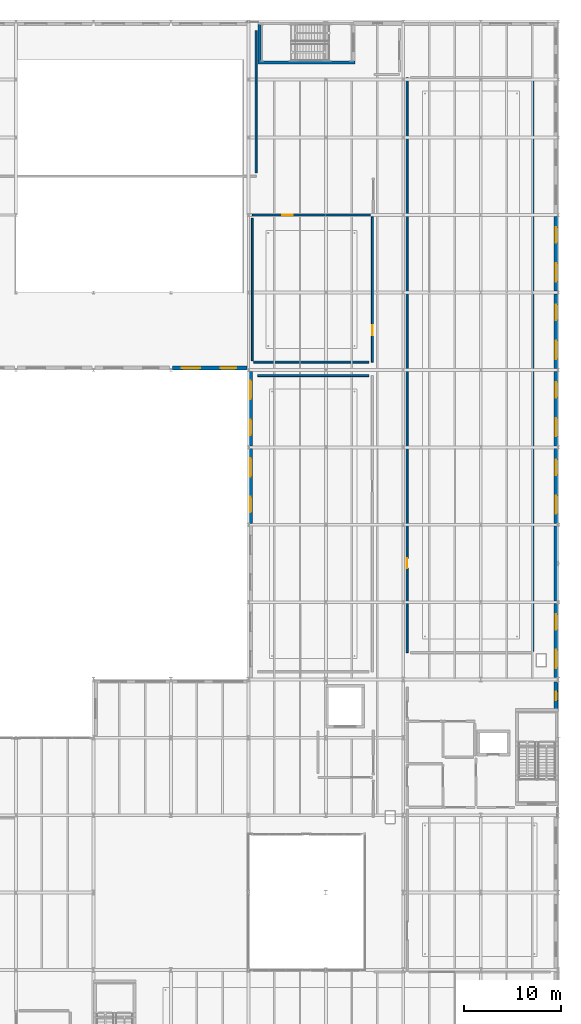
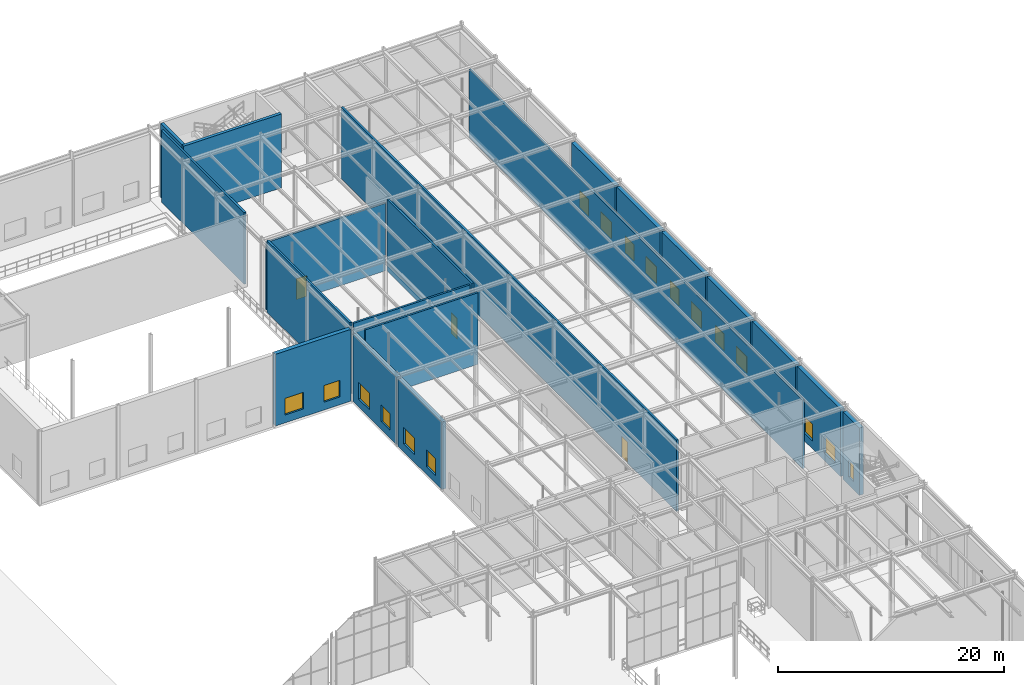
# One storey, part 98 of 138: 20 walls, 17 windows, 3 doors, 20 openings.
"""IFC4 building model written with IfcOpenShell, lengths in metres."""

from ifc_helpers import new_model, si_unit, direction, frame, frame_2d, origin, place, context, subcontext, project, spatial, rectangle, extrude, material, layer, layer_set, type_object, element, fill, save


model = new_model("IFC4")

# Units and contexts
model_context = context("Model", 3, precision=1e-05, world=origin(), true_north=direction((0.0, 1.0)))
body_context = subcontext(model_context, "Body", "Model", "MODEL_VIEW")
ifc_project = project(units=[si_unit("LENGTHUNIT", "METRE"), si_unit("AREAUNIT", "SQUARE_METRE"), si_unit("VOLUMEUNIT", "CUBIC_METRE"), si_unit("PLANEANGLEUNIT", "RADIAN"), si_unit("MASSUNIT", "GRAM", prefix="KILO")], contexts=[model_context])

# Site, building, storey
site_placement = place(None, origin())
site = spatial("IfcSite", under=ifc_project, at=site_placement, CompositionType="ELEMENT")
building_placement = place(site_placement, origin())
building = spatial("IfcBuilding", under=site, at=building_placement, Name="Sundkrona Museum", CompositionType="ELEMENT")
storey_placement = place(building_placement, frame((0.0, 0.0, 9.60009765625)))
storey = spatial("IfcBuildingStorey", under=building, at=storey_placement, Name="L02", CompositionType="ELEMENT", Elevation=9.60009765625)

# Walls
ifc_material_1 = material(Name="Concrete C40/50", Category="concrete")
ifc_layer_1 = layer(ifc_material_1, 0.300048828125)
ifc_layer_set_1 = layer_set([ifc_layer_1], Name="Concrete C40/50")
wall_type_1 = type_object("IfcWallType", Name="W-CORE-300", PredefinedType="SHEAR", material=ifc_layer_set_1)
wall_1_placement = place(storey_placement, frame((137.0, 109.75, 0.0), z_axis=(0.0, 0.0, 1.0), x_axis=(1.0, 0.0, 0.0)))
element("IfcWall", 1, at=wall_1_placement, inside=storey, type_object=wall_type_1, Name="L02 ST-5 Core Shear Wall South", PredefinedType="SHEAR", context=body_context, shape_type="SweptSolid", body=[
    extrude(rectangle(XDim=10.0, YDim=0.300048828125, at=frame_2d((5.0, 0.0))), origin(), (0.0, 0.0, 1.0), 8.0),
])
wall_2_placement = place(storey_placement, frame((137.14990234375, 109.909912109375, 0.0), z_axis=(0.0, 0.0, 1.0), x_axis=(0.0, 1.0, 0.0)))
element("IfcWall", 2, at=wall_2_placement, inside=storey, type_object=wall_type_1, Name="L02 ST-5 Core Shear Wall West", PredefinedType="SHEAR", context=body_context, shape_type="SweptSolid", body=[
    extrude(rectangle(XDim=3.780029296875, YDim=0.300048828125, at=frame_2d((1.89013671875, 0.0))), origin(), (0.0, 0.0, 1.0), 8.0),
])

# Wall, opening, window
ifc_material_2 = material(Name="Scanian Polychrome Clay Brickwork 420 mm", Category="masonry")
ifc_layer_2 = layer(ifc_material_2, 0.419921875)
ifc_layer_set_2 = layer_set([ifc_layer_2], Name="Scanian Polychrome Clay Brickwork 420 mm")
wall_type_2 = type_object("IfcWallType", Name="W-EX-420", PredefinedType="SOLIDWALL", material=ifc_layer_set_2)
wall_3_placement = place(storey_placement, frame((167.7900390625, 45.77294921875, 0.0), z_axis=(0.0, 0.0, 1.0), x_axis=(0.0, -1.0, 0.0)))
wall_3 = element("IfcWall", 3, at=wall_3_placement, inside=storey, type_object=wall_type_2, Name="L02 Facade Wall 0034", PredefinedType="SOLIDWALL", context=body_context, shape_type="SweptSolid", body=[
    extrude(rectangle(XDim=2.912841796875, YDim=0.419921875, at=frame_2d((1.45654296875, 0.0))), origin(), (0.0, 0.0, 1.0), 7.284912109375),
])
opening_1_placement = place(wall_3_placement, frame((1.006591796875, 0.0, 0.85009765625)))
opening_1 = element("IfcOpeningElement", 4, at=opening_1_placement, cuts=wall_3, Name="Opening WN-ST-090x180", PredefinedType="OPENING", context=body_context, shape_type="SweptSolid", body=[
    extrude(rectangle(XDim=0.89990234375, YDim=1.800048828125, at=frame_2d((0.449951171875, 0.89990234375))), frame((0.0, 0.219970703125, 0.0), z_axis=(0.0, -1.0, 0.0), x_axis=(1.0, 0.0, 0.0)), (0.0, 0.0, 1.0), 0.43994140625),
])
ifc_material_3 = material(Name="Triple Low-E Argon Glazing in Bronze-Anodised Aluminium", Category="aluminium")
window_type_1 = type_object("IfcWindowType", Name="WN-ST-090x180", PartitioningType="SINGLE_PANEL", PredefinedType="WINDOW", material=ifc_material_3)
window_1_placement = place(opening_1_placement, origin())
window_1 = element("IfcWindow", 5, at=window_1_placement, inside=storey, type_object=window_type_1, Name="L02 Stair-core avenue daylight slot window 900x1800 WIN-L02-0043", OverallHeight=1.800048828125, OverallWidth=0.89990234375, PartitioningType="SINGLE_PANEL", PredefinedType="WINDOW", context=body_context, shape_type="SweptSolid", body=[
    extrude(rectangle(XDim=0.89990234375, YDim=1.800048828125, at=frame_2d((0.449951171875, 0.89990234375))), frame((0.0, 0.030029296875, 0.0), z_axis=(0.0, -1.0, 0.0), x_axis=(1.0, 0.0, 0.0)), (0.0, 0.0, 1.0), 0.06005859375),
])
fill(opening_1, window_1)

# Wall, openings, windows
wall_4_placement = place(storey_placement, frame((135.85791015625, 78.2099609375, 0.0), z_axis=(0.0, 0.0, 1.0), x_axis=(-1.0, 0.0, 0.0)))
wall_4 = element("IfcWall", 6, at=wall_4_placement, inside=storey, type_object=wall_type_2, Name="L02 Facade Wall 0299", PredefinedType="SOLIDWALL", context=body_context, shape_type="SweptSolid", body=[
    extrude(rectangle(XDim=7.7158203125, YDim=0.419921875, at=frame_2d((3.85791015625, 0.0))), origin(), (0.0, 0.0, 1.0), 7.760009765625),
])
opening_2_placement = place(wall_4_placement, frame((1.12890625, 0.0, 0.85009765625)))
opening_2 = element("IfcOpeningElement", 7, at=opening_2_placement, cuts=wall_4, Name="Opening WN-LB-160x180", PredefinedType="OPENING", context=body_context, shape_type="SweptSolid", body=[
    extrude(rectangle(XDim=1.60009765625, YDim=1.800048828125, at=frame_2d((0.800048828125, 0.89990234375))), frame((0.0, 0.219970703125, 0.0), z_axis=(0.0, -1.0, 0.0), x_axis=(1.0, 0.0, 0.0)), (0.0, 0.0, 1.0), 0.43994140625),
])
opening_3_placement = place(wall_4_placement, frame((4.8369140625, 0.0, 0.85009765625)))
opening_3 = element("IfcOpeningElement", 8, at=opening_3_placement, cuts=wall_4, Name="Opening WN-LB-190x180", PredefinedType="OPENING", context=body_context, shape_type="SweptSolid", body=[
    extrude(rectangle(XDim=1.89990234375, YDim=1.800048828125, at=frame_2d((0.949951171875, 0.89990234375))), frame((0.0, 0.219970703125, 0.0), z_axis=(0.0, -1.0, 0.0), x_axis=(1.0, 0.0, 0.0)), (0.0, 0.0, 1.0), 0.43994140625),
])
window_type_2 = type_object("IfcWindowType", Name="WN-LB-160x180", PartitioningType="DOUBLE_PANEL_VERTICAL", PredefinedType="WINDOW", material=ifc_material_3)
window_2_placement = place(opening_2_placement, origin())
window_2 = element("IfcWindow", 9, at=window_2_placement, inside=storey, type_object=window_type_2, Name="L02 Conservation laboratory deep-reveal window 1600x1800 WIN-L02-0407", OverallHeight=1.800048828125, OverallWidth=1.60009765625, PartitioningType="DOUBLE_PANEL_VERTICAL", PredefinedType="WINDOW", context=body_context, shape_type="SweptSolid", body=[
    extrude(rectangle(XDim=1.60009765625, YDim=1.800048828125, at=frame_2d((0.800048828125, 0.89990234375))), frame((0.0, 0.030029296875, 0.0), z_axis=(0.0, -1.0, 0.0), x_axis=(1.0, 0.0, 0.0)), (0.0, 0.0, 1.0), 0.06005859375),
])
fill(opening_2, window_2)
window_type_3 = type_object("IfcWindowType", Name="WN-LB-190x180", PartitioningType="DOUBLE_PANEL_VERTICAL", PredefinedType="WINDOW", material=ifc_material_3)
window_3_placement = place(opening_3_placement, origin())
window_3 = element("IfcWindow", 10, at=window_3_placement, inside=storey, type_object=window_type_3, Name="L02 Analytical studio bench-height window 1900x1800 WIN-L02-0408", OverallHeight=1.800048828125, OverallWidth=1.89990234375, PartitioningType="DOUBLE_PANEL_VERTICAL", PredefinedType="WINDOW", context=body_context, shape_type="SweptSolid", body=[
    extrude(rectangle(XDim=1.89990234375, YDim=1.800048828125, at=frame_2d((0.949951171875, 0.89990234375))), frame((0.0, 0.030029296875, 0.0), z_axis=(0.0, -1.0, 0.0), x_axis=(1.0, 0.0, 0.0)), (0.0, 0.0, 1.0), 0.06005859375),
])
fill(opening_3, window_3)

wall_5_placement = place(storey_placement, frame((136.2099609375, 62.14208984375, 0.0), z_axis=(0.0, 0.0, 1.0), x_axis=(0.0, 1.0, 0.0)))
wall_5 = element("IfcWall", 11, at=wall_5_placement, inside=storey, type_object=wall_type_2, Name="L02 Facade Wall 0302", PredefinedType="SOLIDWALL", context=body_context, shape_type="SweptSolid", body=[
    extrude(rectangle(XDim=7.7158203125, YDim=0.419921875, at=frame_2d((3.85791015625, 0.0))), origin(), (0.0, 0.0, 1.0), 7.284912109375),
])
opening_4_placement = place(wall_5_placement, frame((1.12890625, 0.0, 0.85009765625)))
opening_4 = element("IfcOpeningElement", 12, at=opening_4_placement, cuts=wall_5, Name="Opening WN-LB-160x180", PredefinedType="OPENING", context=body_context, shape_type="SweptSolid", body=[
    extrude(rectangle(XDim=1.60009765625, YDim=1.800048828125, at=frame_2d((0.800048828125, 0.89990234375))), frame((0.0, 0.219970703125, 0.0), z_axis=(0.0, -1.0, 0.0), x_axis=(1.0, 0.0, 0.0)), (0.0, 0.0, 1.0), 0.43994140625),
])
opening_5_placement = place(wall_5_placement, frame((4.8369140625, 0.0, 0.85009765625)))
opening_5 = element("IfcOpeningElement", 13, at=opening_5_placement, cuts=wall_5, Name="Opening WN-LB-190x180", PredefinedType="OPENING", context=body_context, shape_type="SweptSolid", body=[
    extrude(rectangle(XDim=1.89990234375, YDim=1.800048828125, at=frame_2d((0.949951171875, 0.89990234375))), frame((0.0, 0.219970703125, 0.0), z_axis=(0.0, -1.0, 0.0), x_axis=(1.0, 0.0, 0.0)), (0.0, 0.0, 1.0), 0.43994140625),
])
window_4_placement = place(opening_4_placement, origin())
window_4 = element("IfcWindow", 14, at=window_4_placement, inside=storey, type_object=window_type_2, Name="L02 Conservation laboratory deep-reveal window 1600x1800 WIN-L02-0413", OverallHeight=1.800048828125, OverallWidth=1.60009765625, PartitioningType="DOUBLE_PANEL_VERTICAL", PredefinedType="WINDOW", context=body_context, shape_type="SweptSolid", body=[
    extrude(rectangle(XDim=1.60009765625, YDim=1.800048828125, at=frame_2d((0.800048828125, 0.89990234375))), frame((0.0, 0.030029296875, 0.0), z_axis=(0.0, -1.0, 0.0), x_axis=(1.0, 0.0, 0.0)), (0.0, 0.0, 1.0), 0.06005859375),
])
fill(opening_4, window_4)
window_5_placement = place(opening_5_placement, origin())
window_5 = element("IfcWindow", 15, at=window_5_placement, inside=storey, type_object=window_type_3, Name="L02 Analytical studio bench-height window 1900x1800 WIN-L02-0414", OverallHeight=1.800048828125, OverallWidth=1.89990234375, PartitioningType="DOUBLE_PANEL_VERTICAL", PredefinedType="WINDOW", context=body_context, shape_type="SweptSolid", body=[
    extrude(rectangle(XDim=1.89990234375, YDim=1.800048828125, at=frame_2d((0.949951171875, 0.89990234375))), frame((0.0, 0.030029296875, 0.0), z_axis=(0.0, -1.0, 0.0), x_axis=(1.0, 0.0, 0.0)), (0.0, 0.0, 1.0), 0.06005859375),
])
fill(opening_5, window_5)

wall_6_placement = place(storey_placement, frame((136.2099609375, 70.14208984375, 0.0), z_axis=(0.0, 0.0, 1.0), x_axis=(0.0, 1.0, 0.0)))
wall_6 = element("IfcWall", 16, at=wall_6_placement, inside=storey, type_object=wall_type_2, Name="L02 Facade Wall 0303", PredefinedType="SOLIDWALL", context=body_context, shape_type="SweptSolid", body=[
    extrude(rectangle(XDim=7.7158203125, YDim=0.419921875, at=frame_2d((3.85791015625, 0.0))), origin(), (0.0, 0.0, 1.0), 7.284912109375),
])
opening_6_placement = place(wall_6_placement, frame((1.12890625, 0.0, 0.85009765625)))
opening_6 = element("IfcOpeningElement", 17, at=opening_6_placement, cuts=wall_6, Name="Opening WN-LB-160x180", PredefinedType="OPENING", context=body_context, shape_type="SweptSolid", body=[
    extrude(rectangle(XDim=1.60009765625, YDim=1.800048828125, at=frame_2d((0.800048828125, 0.89990234375))), frame((0.0, 0.219970703125, 0.0), z_axis=(0.0, -1.0, 0.0), x_axis=(1.0, 0.0, 0.0)), (0.0, 0.0, 1.0), 0.43994140625),
])
opening_7_placement = place(wall_6_placement, frame((4.8369140625, 0.0, 0.85009765625)))
opening_7 = element("IfcOpeningElement", 18, at=opening_7_placement, cuts=wall_6, Name="Opening WN-LB-190x180", PredefinedType="OPENING", context=body_context, shape_type="SweptSolid", body=[
    extrude(rectangle(XDim=1.89990234375, YDim=1.800048828125, at=frame_2d((0.949951171875, 0.89990234375))), frame((0.0, 0.219970703125, 0.0), z_axis=(0.0, -1.0, 0.0), x_axis=(1.0, 0.0, 0.0)), (0.0, 0.0, 1.0), 0.43994140625),
])
window_6_placement = place(opening_6_placement, origin())
window_6 = element("IfcWindow", 19, at=window_6_placement, inside=storey, type_object=window_type_2, Name="L02 Conservation laboratory deep-reveal window 1600x1800 WIN-L02-0415", OverallHeight=1.800048828125, OverallWidth=1.60009765625, PartitioningType="DOUBLE_PANEL_VERTICAL", PredefinedType="WINDOW", context=body_context, shape_type="SweptSolid", body=[
    extrude(rectangle(XDim=1.60009765625, YDim=1.800048828125, at=frame_2d((0.800048828125, 0.89990234375))), frame((0.0, 0.030029296875, 0.0), z_axis=(0.0, -1.0, 0.0), x_axis=(1.0, 0.0, 0.0)), (0.0, 0.0, 1.0), 0.06005859375),
])
fill(opening_6, window_6)
window_7_placement = place(opening_7_placement, origin())
window_7 = element("IfcWindow", 20, at=window_7_placement, inside=storey, type_object=window_type_3, Name="L02 Analytical studio bench-height window 1900x1800 WIN-L02-0416", OverallHeight=1.800048828125, OverallWidth=1.89990234375, PartitioningType="DOUBLE_PANEL_VERTICAL", PredefinedType="WINDOW", context=body_context, shape_type="SweptSolid", body=[
    extrude(rectangle(XDim=1.89990234375, YDim=1.800048828125, at=frame_2d((0.949951171875, 0.89990234375))), frame((0.0, 0.030029296875, 0.0), z_axis=(0.0, -1.0, 0.0), x_axis=(1.0, 0.0, 0.0)), (0.0, 0.0, 1.0), 0.06005859375),
])
fill(opening_7, window_7)

wall_7_placement = place(storey_placement, frame((167.7900390625, 53.85791015625, 0.0), z_axis=(0.0, 0.0, 1.0), x_axis=(0.0, -1.0, 0.0)))
wall_7 = element("IfcWall", 21, at=wall_7_placement, inside=storey, type_object=wall_type_2, Name="L02 Facade Wall 0347", PredefinedType="SOLIDWALL", context=body_context, shape_type="SweptSolid", body=[
    extrude(rectangle(XDim=7.630859375, YDim=0.419921875, at=frame_2d((3.8154296875, 0.0))), origin(), (0.0, 0.0, 1.0), 7.284912109375),
])
opening_8_placement = place(wall_7_placement, frame((1.10791015625, 0.0, 0.85009765625)))
opening_8 = element("IfcOpeningElement", 22, at=opening_8_placement, cuts=wall_7, Name="Opening WN-LB-160x180", PredefinedType="OPENING", context=body_context, shape_type="SweptSolid", body=[
    extrude(rectangle(XDim=1.60009765625, YDim=1.800048828125, at=frame_2d((0.800048828125, 0.89990234375))), frame((0.0, 0.219970703125, 0.0), z_axis=(0.0, -1.0, 0.0), x_axis=(1.0, 0.0, 0.0)), (0.0, 0.0, 1.0), 0.43994140625),
])
opening_9_placement = place(wall_7_placement, frame((4.773193359375, 0.0, 0.85009765625)))
opening_9 = element("IfcOpeningElement", 23, at=opening_9_placement, cuts=wall_7, Name="Opening WN-LB-190x180", PredefinedType="OPENING", context=body_context, shape_type="SweptSolid", body=[
    extrude(rectangle(XDim=1.89990234375, YDim=1.800048828125, at=frame_2d((0.949951171875, 0.89990234375))), frame((0.0, 0.219970703125, 0.0), z_axis=(0.0, -1.0, 0.0), x_axis=(1.0, 0.0, 0.0)), (0.0, 0.0, 1.0), 0.43994140625),
])
window_8_placement = place(opening_8_placement, origin())
window_8 = element("IfcWindow", 24, at=window_8_placement, inside=storey, type_object=window_type_2, Name="L02 Conservation laboratory deep-reveal window 1600x1800 WIN-L02-0442", OverallHeight=1.800048828125, OverallWidth=1.60009765625, PartitioningType="DOUBLE_PANEL_VERTICAL", PredefinedType="WINDOW", context=body_context, shape_type="SweptSolid", body=[
    extrude(rectangle(XDim=1.60009765625, YDim=1.800048828125, at=frame_2d((0.800048828125, 0.89990234375))), frame((0.0, 0.030029296875, 0.0), z_axis=(0.0, -1.0, 0.0), x_axis=(1.0, 0.0, 0.0)), (0.0, 0.0, 1.0), 0.06005859375),
])
fill(opening_8, window_8)
window_9_placement = place(opening_9_placement, origin())
window_9 = element("IfcWindow", 25, at=window_9_placement, inside=storey, type_object=window_type_3, Name="L02 Analytical studio bench-height window 1900x1800 WIN-L02-0443", OverallHeight=1.800048828125, OverallWidth=1.89990234375, PartitioningType="DOUBLE_PANEL_VERTICAL", PredefinedType="WINDOW", context=body_context, shape_type="SweptSolid", body=[
    extrude(rectangle(XDim=1.89990234375, YDim=1.800048828125, at=frame_2d((0.949951171875, 0.89990234375))), frame((0.0, 0.030029296875, 0.0), z_axis=(0.0, -1.0, 0.0), x_axis=(1.0, 0.0, 0.0)), (0.0, 0.0, 1.0), 0.06005859375),
])
fill(opening_9, window_9)

# Wall
wall_8_placement = place(storey_placement, frame((167.7900390625, 61.85791015625, 0.0), z_axis=(0.0, 0.0, 1.0), x_axis=(0.0, -1.0, 0.0)))
element("IfcWall", 26, at=wall_8_placement, inside=storey, type_object=wall_type_2, Name="L02 Facade Wall 0348", PredefinedType="SOLIDWALL", context=body_context, shape_type="SweptSolid", body=[
    extrude(rectangle(XDim=7.7158203125, YDim=0.419921875, at=frame_2d((3.85791015625, 0.0))), origin(), (0.0, 0.0, 1.0), 7.284912109375),
])

# Wall, openings, windows
wall_9_placement = place(storey_placement, frame((167.7900390625, 69.85791015625, 0.0), z_axis=(0.0, 0.0, 1.0), x_axis=(0.0, -1.0, 0.0)))
wall_9 = element("IfcWall", 27, at=wall_9_placement, inside=storey, type_object=wall_type_2, Name="L02 Facade Wall 0349", PredefinedType="SOLIDWALL", context=body_context, shape_type="SweptSolid", body=[
    extrude(rectangle(XDim=7.7158203125, YDim=0.419921875, at=frame_2d((3.85791015625, 0.0))), origin(), (0.0, 0.0, 1.0), 7.284912109375),
])
opening_10_placement = place(wall_9_placement, frame((1.12890625, 0.0, 0.85009765625)))
opening_10 = element("IfcOpeningElement", 28, at=opening_10_placement, cuts=wall_9, Name="Opening WN-LB-160x180", PredefinedType="OPENING", context=body_context, shape_type="SweptSolid", body=[
    extrude(rectangle(XDim=1.60009765625, YDim=1.800048828125, at=frame_2d((0.800048828125, 0.89990234375))), frame((0.0, 0.219970703125, 0.0), z_axis=(0.0, -1.0, 0.0), x_axis=(1.0, 0.0, 0.0)), (0.0, 0.0, 1.0), 0.43994140625),
])
opening_11_placement = place(wall_9_placement, frame((4.8369140625, 0.0, 0.85009765625)))
opening_11 = element("IfcOpeningElement", 29, at=opening_11_placement, cuts=wall_9, Name="Opening WN-LB-190x180", PredefinedType="OPENING", context=body_context, shape_type="SweptSolid", body=[
    extrude(rectangle(XDim=1.89990234375, YDim=1.800048828125, at=frame_2d((0.949951171875, 0.89990234375))), frame((0.0, 0.219970703125, 0.0), z_axis=(0.0, -1.0, 0.0), x_axis=(1.0, 0.0, 0.0)), (0.0, 0.0, 1.0), 0.43994140625),
])
window_10_placement = place(opening_10_placement, origin())
window_10 = element("IfcWindow", 30, at=window_10_placement, inside=storey, type_object=window_type_2, Name="L02 Conservation laboratory deep-reveal window 1600x1800 WIN-L02-0444", OverallHeight=1.800048828125, OverallWidth=1.60009765625, PartitioningType="DOUBLE_PANEL_VERTICAL", PredefinedType="WINDOW", context=body_context, shape_type="SweptSolid", body=[
    extrude(rectangle(XDim=1.60009765625, YDim=1.800048828125, at=frame_2d((0.800048828125, 0.89990234375))), frame((0.0, 0.030029296875, 0.0), z_axis=(0.0, -1.0, 0.0), x_axis=(1.0, 0.0, 0.0)), (0.0, 0.0, 1.0), 0.06005859375),
])
fill(opening_10, window_10)
window_11_placement = place(opening_11_placement, origin())
window_11 = element("IfcWindow", 31, at=window_11_placement, inside=storey, type_object=window_type_3, Name="L02 Analytical studio bench-height window 1900x1800 WIN-L02-0445", OverallHeight=1.800048828125, OverallWidth=1.89990234375, PartitioningType="DOUBLE_PANEL_VERTICAL", PredefinedType="WINDOW", context=body_context, shape_type="SweptSolid", body=[
    extrude(rectangle(XDim=1.89990234375, YDim=1.800048828125, at=frame_2d((0.949951171875, 0.89990234375))), frame((0.0, 0.030029296875, 0.0), z_axis=(0.0, -1.0, 0.0), x_axis=(1.0, 0.0, 0.0)), (0.0, 0.0, 1.0), 0.06005859375),
])
fill(opening_11, window_11)

wall_10_placement = place(storey_placement, frame((167.7900390625, 77.85791015625, 0.0), z_axis=(0.0, 0.0, 1.0), x_axis=(0.0, -1.0, 0.0)))
wall_10 = element("IfcWall", 32, at=wall_10_placement, inside=storey, type_object=wall_type_2, Name="L02 Facade Wall 0350", PredefinedType="SOLIDWALL", context=body_context, shape_type="SweptSolid", body=[
    extrude(rectangle(XDim=7.7158203125, YDim=0.419921875, at=frame_2d((3.85791015625, 0.0))), origin(), (0.0, 0.0, 1.0), 7.284912109375),
])
opening_12_placement = place(wall_10_placement, frame((1.12890625, 0.0, 0.85009765625)))
opening_12 = element("IfcOpeningElement", 33, at=opening_12_placement, cuts=wall_10, Name="Opening WN-LB-160x180", PredefinedType="OPENING", context=body_context, shape_type="SweptSolid", body=[
    extrude(rectangle(XDim=1.60009765625, YDim=1.800048828125, at=frame_2d((0.800048828125, 0.89990234375))), frame((0.0, 0.219970703125, 0.0), z_axis=(0.0, -1.0, 0.0), x_axis=(1.0, 0.0, 0.0)), (0.0, 0.0, 1.0), 0.43994140625),
])
opening_13_placement = place(wall_10_placement, frame((4.8369140625, 0.0, 0.85009765625)))
opening_13 = element("IfcOpeningElement", 34, at=opening_13_placement, cuts=wall_10, Name="Opening WN-LB-190x180", PredefinedType="OPENING", context=body_context, shape_type="SweptSolid", body=[
    extrude(rectangle(XDim=1.89990234375, YDim=1.800048828125, at=frame_2d((0.949951171875, 0.89990234375))), frame((0.0, 0.219970703125, 0.0), z_axis=(0.0, -1.0, 0.0), x_axis=(1.0, 0.0, 0.0)), (0.0, 0.0, 1.0), 0.43994140625),
])
window_12_placement = place(opening_12_placement, origin())
window_12 = element("IfcWindow", 35, at=window_12_placement, inside=storey, type_object=window_type_2, Name="L02 Conservation laboratory deep-reveal window 1600x1800 WIN-L02-0446", OverallHeight=1.800048828125, OverallWidth=1.60009765625, PartitioningType="DOUBLE_PANEL_VERTICAL", PredefinedType="WINDOW", context=body_context, shape_type="SweptSolid", body=[
    extrude(rectangle(XDim=1.60009765625, YDim=1.800048828125, at=frame_2d((0.800048828125, 0.89990234375))), frame((0.0, 0.030029296875, 0.0), z_axis=(0.0, -1.0, 0.0), x_axis=(1.0, 0.0, 0.0)), (0.0, 0.0, 1.0), 0.06005859375),
])
fill(opening_12, window_12)
window_13_placement = place(opening_13_placement, origin())
window_13 = element("IfcWindow", 36, at=window_13_placement, inside=storey, type_object=window_type_3, Name="L02 Analytical studio bench-height window 1900x1800 WIN-L02-0447", OverallHeight=1.800048828125, OverallWidth=1.89990234375, PartitioningType="DOUBLE_PANEL_VERTICAL", PredefinedType="WINDOW", context=body_context, shape_type="SweptSolid", body=[
    extrude(rectangle(XDim=1.89990234375, YDim=1.800048828125, at=frame_2d((0.949951171875, 0.89990234375))), frame((0.0, 0.030029296875, 0.0), z_axis=(0.0, -1.0, 0.0), x_axis=(1.0, 0.0, 0.0)), (0.0, 0.0, 1.0), 0.06005859375),
])
fill(opening_13, window_13)

wall_11_placement = place(storey_placement, frame((167.7900390625, 85.85791015625, 0.0), z_axis=(0.0, 0.0, 1.0), x_axis=(0.0, -1.0, 0.0)))
wall_11 = element("IfcWall", 37, at=wall_11_placement, inside=storey, type_object=wall_type_2, Name="L02 Facade Wall 0351", PredefinedType="SOLIDWALL", context=body_context, shape_type="SweptSolid", body=[
    extrude(rectangle(XDim=7.7158203125, YDim=0.419921875, at=frame_2d((3.85791015625, 0.0))), origin(), (0.0, 0.0, 1.0), 7.284912109375),
])
opening_14_placement = place(wall_11_placement, frame((1.12890625, 0.0, 0.85009765625)))
opening_14 = element("IfcOpeningElement", 38, at=opening_14_placement, cuts=wall_11, Name="Opening WN-LB-160x180", PredefinedType="OPENING", context=body_context, shape_type="SweptSolid", body=[
    extrude(rectangle(XDim=1.60009765625, YDim=1.800048828125, at=frame_2d((0.800048828125, 0.89990234375))), frame((0.0, 0.219970703125, 0.0), z_axis=(0.0, -1.0, 0.0), x_axis=(1.0, 0.0, 0.0)), (0.0, 0.0, 1.0), 0.43994140625),
])
opening_15_placement = place(wall_11_placement, frame((4.8369140625, 0.0, 0.85009765625)))
opening_15 = element("IfcOpeningElement", 39, at=opening_15_placement, cuts=wall_11, Name="Opening WN-LB-190x180", PredefinedType="OPENING", context=body_context, shape_type="SweptSolid", body=[
    extrude(rectangle(XDim=1.89990234375, YDim=1.800048828125, at=frame_2d((0.949951171875, 0.89990234375))), frame((0.0, 0.219970703125, 0.0), z_axis=(0.0, -1.0, 0.0), x_axis=(1.0, 0.0, 0.0)), (0.0, 0.0, 1.0), 0.43994140625),
])
window_14_placement = place(opening_14_placement, origin())
window_14 = element("IfcWindow", 40, at=window_14_placement, inside=storey, type_object=window_type_2, Name="L02 Conservation laboratory deep-reveal window 1600x1800 WIN-L02-0448", OverallHeight=1.800048828125, OverallWidth=1.60009765625, PartitioningType="DOUBLE_PANEL_VERTICAL", PredefinedType="WINDOW", context=body_context, shape_type="SweptSolid", body=[
    extrude(rectangle(XDim=1.60009765625, YDim=1.800048828125, at=frame_2d((0.800048828125, 0.89990234375))), frame((0.0, 0.030029296875, 0.0), z_axis=(0.0, -1.0, 0.0), x_axis=(1.0, 0.0, 0.0)), (0.0, 0.0, 1.0), 0.06005859375),
])
fill(opening_14, window_14)
window_15_placement = place(opening_15_placement, origin())
window_15 = element("IfcWindow", 41, at=window_15_placement, inside=storey, type_object=window_type_3, Name="L02 Analytical studio bench-height window 1900x1800 WIN-L02-0449", OverallHeight=1.800048828125, OverallWidth=1.89990234375, PartitioningType="DOUBLE_PANEL_VERTICAL", PredefinedType="WINDOW", context=body_context, shape_type="SweptSolid", body=[
    extrude(rectangle(XDim=1.89990234375, YDim=1.800048828125, at=frame_2d((0.949951171875, 0.89990234375))), frame((0.0, 0.030029296875, 0.0), z_axis=(0.0, -1.0, 0.0), x_axis=(1.0, 0.0, 0.0)), (0.0, 0.0, 1.0), 0.06005859375),
])
fill(opening_15, window_15)

wall_12_placement = place(storey_placement, frame((167.7900390625, 93.85791015625, 0.0), z_axis=(0.0, 0.0, 1.0), x_axis=(0.0, -1.0, 0.0)))
wall_12 = element("IfcWall", 42, at=wall_12_placement, inside=storey, type_object=wall_type_2, Name="L02 Facade Wall 0352", PredefinedType="SOLIDWALL", context=body_context, shape_type="SweptSolid", body=[
    extrude(rectangle(XDim=7.7158203125, YDim=0.419921875, at=frame_2d((3.85791015625, 0.0))), origin(), (0.0, 0.0, 1.0), 7.244873046875),
])
opening_16_placement = place(wall_12_placement, frame((1.12890625, 0.0, 0.85009765625)))
opening_16 = element("IfcOpeningElement", 43, at=opening_16_placement, cuts=wall_12, Name="Opening WN-LB-160x180", PredefinedType="OPENING", context=body_context, shape_type="SweptSolid", body=[
    extrude(rectangle(XDim=1.60009765625, YDim=1.800048828125, at=frame_2d((0.800048828125, 0.89990234375))), frame((0.0, 0.219970703125, 0.0), z_axis=(0.0, -1.0, 0.0), x_axis=(1.0, 0.0, 0.0)), (0.0, 0.0, 1.0), 0.43994140625),
])
opening_17_placement = place(wall_12_placement, frame((4.8369140625, 0.0, 0.85009765625)))
opening_17 = element("IfcOpeningElement", 44, at=opening_17_placement, cuts=wall_12, Name="Opening WN-LB-190x180", PredefinedType="OPENING", context=body_context, shape_type="SweptSolid", body=[
    extrude(rectangle(XDim=1.89990234375, YDim=1.800048828125, at=frame_2d((0.949951171875, 0.89990234375))), frame((0.0, 0.219970703125, 0.0), z_axis=(0.0, -1.0, 0.0), x_axis=(1.0, 0.0, 0.0)), (0.0, 0.0, 1.0), 0.43994140625),
])
window_16_placement = place(opening_16_placement, origin())
window_16 = element("IfcWindow", 45, at=window_16_placement, inside=storey, type_object=window_type_2, Name="L02 Conservation laboratory deep-reveal window 1600x1800 WIN-L02-0450", OverallHeight=1.800048828125, OverallWidth=1.60009765625, PartitioningType="DOUBLE_PANEL_VERTICAL", PredefinedType="WINDOW", context=body_context, shape_type="SweptSolid", body=[
    extrude(rectangle(XDim=1.60009765625, YDim=1.800048828125, at=frame_2d((0.800048828125, 0.89990234375))), frame((0.0, 0.030029296875, 0.0), z_axis=(0.0, -1.0, 0.0), x_axis=(1.0, 0.0, 0.0)), (0.0, 0.0, 1.0), 0.06005859375),
])
fill(opening_16, window_16)
window_17_placement = place(opening_17_placement, origin())
window_17 = element("IfcWindow", 46, at=window_17_placement, inside=storey, type_object=window_type_3, Name="L02 Analytical studio bench-height window 1900x1800 WIN-L02-0451", OverallHeight=1.800048828125, OverallWidth=1.89990234375, PartitioningType="DOUBLE_PANEL_VERTICAL", PredefinedType="WINDOW", context=body_context, shape_type="SweptSolid", body=[
    extrude(rectangle(XDim=1.89990234375, YDim=1.800048828125, at=frame_2d((0.949951171875, 0.89990234375))), frame((0.0, 0.030029296875, 0.0), z_axis=(0.0, -1.0, 0.0), x_axis=(1.0, 0.0, 0.0)), (0.0, 0.0, 1.0), 0.06005859375),
])
fill(opening_17, window_17)

# Wall, opening, door
ifc_material_4 = material(Name="Moisture-resistant Tile Partition 200 mm", Category="other")
ifc_layer_3 = layer(ifc_material_4, 0.199951171875)
ifc_layer_set_3 = layer_set([ifc_layer_3], Name="Moisture-resistant Tile Partition 200 mm")
wall_type_3 = type_object("IfcWallType", Name="W-PT-200", PredefinedType="PARTITIONING", material=ifc_layer_set_3)
wall_13_placement = place(storey_placement, frame((148.800048828125, 78.800048828125, 0.0), z_axis=(0.0, 0.0, 1.0), x_axis=(0.0, 1.0, 0.0)))
wall_13 = element("IfcWall", 47, at=wall_13_placement, inside=storey, type_object=wall_type_3, Name="L02 Partition East Conservation Corridor / Organic Conservation Laboratory", PredefinedType="PARTITIONING", context=body_context, shape_type="SweptSolid", body=[
    extrude(rectangle(XDim=15.0, YDim=0.199951171875, at=frame_2d((7.5, 0.0))), origin(), (0.0, 0.0, 1.0), 7.739990234375),
])
opening_18_placement = place(wall_13_placement, frame((2.75927734375, 0.0, 0.0)))
opening_18 = element("IfcOpeningElement", 48, at=opening_18_placement, cuts=wall_13, Name="Opening D-LAB-105", PredefinedType="OPENING", context=body_context, shape_type="SweptSolid", body=[
    extrude(rectangle(XDim=1.050048828125, YDim=2.25, at=frame_2d((0.52490234375, 1.125))), frame((0.0, 0.10986328125, 0.0), z_axis=(0.0, -1.0, 0.0), x_axis=(1.0, 0.0, 0.0)), (0.0, 0.0, 1.0), 0.219970703125),
])
ifc_material_5 = material(Name="Laminated Timber Lab Door", Category="wood")
door_type = type_object("IfcDoorType", Name="D-LAB-105", OperationType="NOTDEFINED", PredefinedType="DOOR", material=ifc_material_5)
door_1_placement = place(opening_18_placement, origin())
door_1 = element("IfcDoor", 49, at=door_1_placement, inside=storey, type_object=door_type, Name="L02 Interior Door DR-ADJ-L02-0132", OperationType="SINGLE_SWING_RIGHT", OverallHeight=2.25, OverallWidth=1.050048828125, PredefinedType="DOOR", context=body_context, shape_type="SweptSolid", body=[
    extrude(rectangle(XDim=1.050048828125, YDim=2.25, at=frame_2d((0.52490234375, 1.125))), frame((0.0, 0.02490234375, 0.0), z_axis=(0.0, -1.0, 0.0), x_axis=(1.0, 0.0, 0.0)), (0.0, 0.0, 1.0), 0.050048828125),
])
fill(opening_18, door_1)

wall_14_placement = place(storey_placement, frame((152.39990234375, 48.800048828125, 0.0), z_axis=(0.0, 0.0, 1.0), x_axis=(0.0, 1.0, 0.0)))
wall_14 = element("IfcWall", 50, at=wall_14_placement, inside=storey, type_object=wall_type_3, Name="L02 Partition East Conservation Corridor / Painting Restoration Studio", PredefinedType="PARTITIONING", context=body_context, shape_type="SweptSolid", body=[
    extrude(rectangle(XDim=59.39990234375, YDim=0.199951171875, at=frame_2d((29.699951171875, 0.0))), origin(), (0.0, 0.0, 1.0), 7.739990234375),
])
opening_19_placement = place(wall_14_placement, frame((8.699951171875, 0.0, 0.0)))
opening_19 = element("IfcOpeningElement", 51, at=opening_19_placement, cuts=wall_14, Name="Opening D-LAB-105", PredefinedType="OPENING", context=body_context, shape_type="SweptSolid", body=[
    extrude(rectangle(XDim=1.050048828125, YDim=2.25, at=frame_2d((0.52490234375, 1.125))), frame((0.0, 0.10986328125, 0.0), z_axis=(0.0, -1.0, 0.0), x_axis=(1.0, 0.0, 0.0)), (0.0, 0.0, 1.0), 0.219970703125),
])
door_2_placement = place(opening_19_placement, origin())
door_2 = element("IfcDoor", 52, at=door_2_placement, inside=storey, type_object=door_type, Name="L02 Interior Door DR-ADJ-L02-0133", OperationType="SINGLE_SWING_LEFT", OverallHeight=2.25, OverallWidth=1.050048828125, PredefinedType="DOOR", context=body_context, shape_type="SweptSolid", body=[
    extrude(rectangle(XDim=1.050048828125, YDim=2.25, at=frame_2d((0.52490234375, 1.125))), frame((0.0, 0.02490234375, 0.0), z_axis=(0.0, -1.0, 0.0), x_axis=(1.0, 0.0, 0.0)), (0.0, 0.0, 1.0), 0.050048828125),
])
fill(opening_19, door_2)

wall_15_placement = place(storey_placement, frame((136.39990234375, 94.0, 0.0), z_axis=(0.0, 0.0, 1.0), x_axis=(1.0, 0.0, 0.0)))
wall_15 = element("IfcWall", 53, at=wall_15_placement, inside=storey, type_object=wall_type_3, Name="L02 Partition Volume 5 Conservation Spine / Organic Conservation Laboratory", PredefinedType="PARTITIONING", context=body_context, shape_type="SweptSolid", body=[
    extrude(rectangle(XDim=12.2001953125, YDim=0.199951171875, at=frame_2d((6.10009765625, 0.0))), origin(), (0.0, 0.0, 1.0), 7.309814453125),
])
opening_20_placement = place(wall_15_placement, frame((3.11328125, 0.0, 0.0)))
opening_20 = element("IfcOpeningElement", 54, at=opening_20_placement, cuts=wall_15, Name="Opening D-LAB-105", PredefinedType="OPENING", context=body_context, shape_type="SweptSolid", body=[
    extrude(rectangle(XDim=1.050048828125, YDim=2.25, at=frame_2d((0.52490234375, 1.125))), frame((0.0, 0.10986328125, 0.0), z_axis=(0.0, -1.0, 0.0), x_axis=(1.0, 0.0, 0.0)), (0.0, 0.0, 1.0), 0.219970703125),
])
door_3_placement = place(opening_20_placement, origin())
door_3 = element("IfcDoor", 55, at=door_3_placement, inside=storey, type_object=door_type, Name="L02 Interior Door DR-ADJ-L02-0140", OperationType="SINGLE_SWING_RIGHT", OverallHeight=2.25, OverallWidth=1.050048828125, PredefinedType="DOOR", context=body_context, shape_type="SweptSolid", body=[
    extrude(rectangle(XDim=1.050048828125, YDim=2.25, at=frame_2d((0.52490234375, 1.125))), frame((0.0, 0.02490234375, 0.0), z_axis=(0.0, -1.0, 0.0), x_axis=(1.0, 0.0, 0.0)), (0.0, 0.0, 1.0), 0.050048828125),
])
fill(opening_20, door_3)

# Walls
wall_16_placement = place(storey_placement, frame((136.550048828125, 78.800048828125, 0.0), z_axis=(0.0, 0.0, 1.0), x_axis=(1.0, 0.0, 0.0)))
element("IfcWall", 56, at=wall_16_placement, inside=storey, type_object=wall_type_3, Name="L02 Organic Conservation Laboratory Enclosure Wall S", PredefinedType="PARTITIONING", context=body_context, shape_type="SweptSolid", body=[
    extrude(rectangle(XDim=11.89990234375, YDim=0.199951171875, at=frame_2d((5.949951171875, 0.0))), origin(), (0.0, 0.0, 1.0), 7.739990234375),
])
for number, where, z_axis, x_axis, name in (
    (57, (136.39990234375, 78.949951171875, 0.0), (0.0, 0.0, 1.0), (0.0, 1.0, 0.0), "L02 Organic Conservation Laboratory Enclosure Wall W"),
    (58, (136.800048828125, 98.35009765625, 0.0), (0.0, 0.0, 1.0), (0.0, 1.0, 0.0), "L02 Inorganic Conservation Laboratory Enclosure Wall E"),
):
    element("IfcWall", number, at=place(storey_placement, frame(where, z_axis=z_axis, x_axis=x_axis)), inside=storey, type_object=wall_type_3, Name=name, PredefinedType="PARTITIONING", context=body_context, shape_type="SweptSolid", body=[
        extrude(rectangle(XDim=14.699951171875, YDim=0.199951171875, at=frame_2d((7.35009765625, 0.0))), origin(), (0.0, 0.0, 1.0), 7.739990234375),
    ])
wall_17_placement = place(storey_placement, frame((165.39990234375, 48.949951171875, 0.0), z_axis=(0.0, 0.0, 1.0), x_axis=(0.0, 1.0, 0.0)))
element("IfcWall", 59, at=wall_17_placement, inside=storey, type_object=wall_type_3, Name="L02 Painting Restoration Studio Enclosure Wall E", PredefinedType="PARTITIONING", context=body_context, shape_type="SweptSolid", body=[
    extrude(rectangle(XDim=59.10009765625, YDim=0.199951171875, at=frame_2d((29.550048828125, 0.0))), origin(), (0.0, 0.0, 1.0), 7.39990234375),
])
wall_18_placement = place(storey_placement, frame((136.949951171875, 77.39990234375, 0.0), z_axis=(0.0, 0.0, 1.0), x_axis=(1.0, 0.0, 0.0)))
element("IfcWall", 60, at=wall_18_placement, inside=storey, type_object=wall_type_3, Name="L02 Specimen Preparation Laboratory Enclosure Wall N", PredefinedType="PARTITIONING", context=body_context, shape_type="SweptSolid", body=[
    extrude(rectangle(XDim=11.5, YDim=0.199951171875, at=frame_2d((5.75, 0.0))), origin(), (0.0, 0.0, 1.0), 7.739990234375),
])

save(model, "model.ifc")
